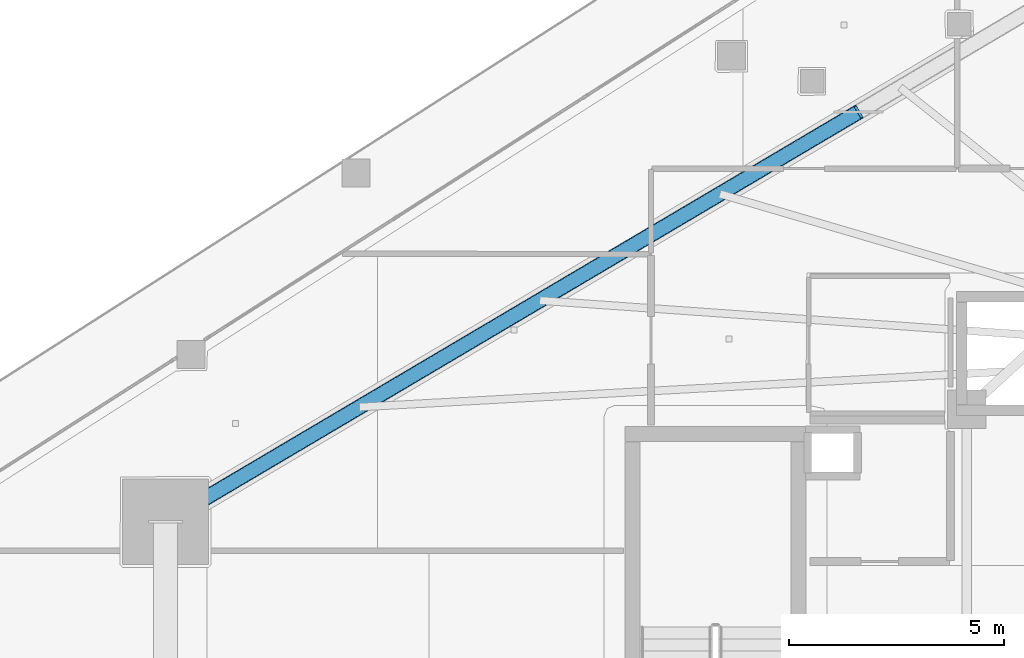
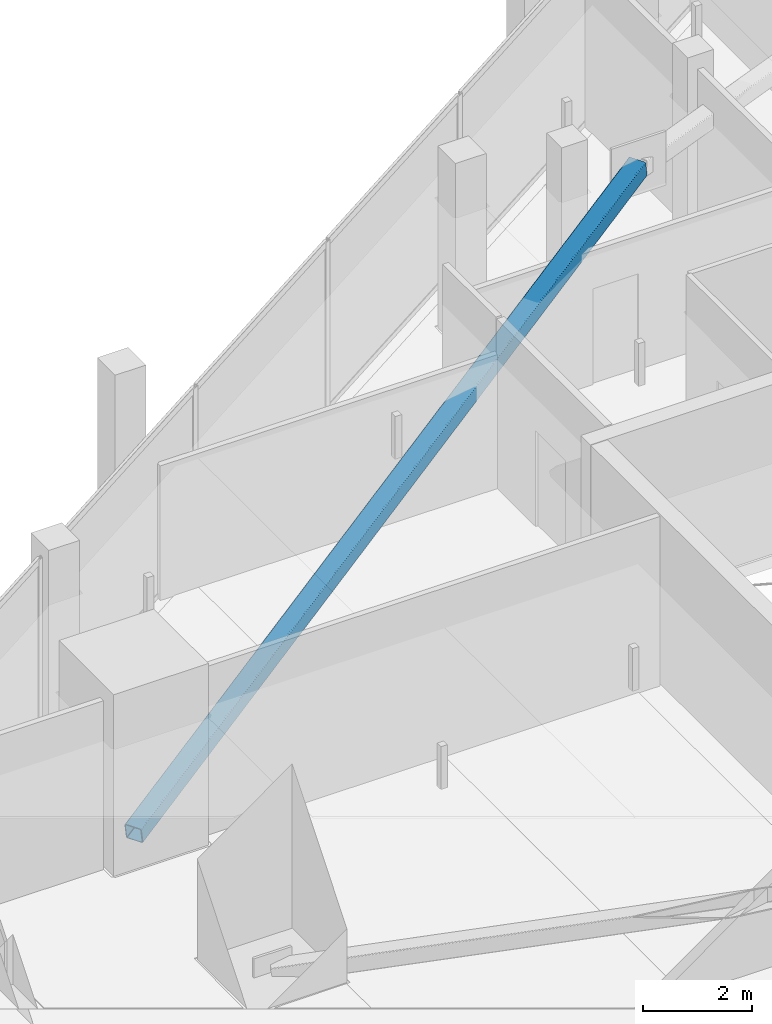
# One storey, part 17 of 43: 1 member.
"""IFC4 building model written with IfcOpenShell, lengths in metres."""

import ifcopenshell
import ifcopenshell.guid

model = None  # the IFC model being written
_history = None  # IfcOwnerHistory: only IFC2X3 demands one
_inside = {}  # id of a spatial element -> (the spatial element, [elements in it])
_under = {}  # id of a project, library or spatial element -> (it, [spatial elements below it])
_declared = {}  # id of a project -> (the project, [libraries it declares])
_typed = {}  # id of a type object -> (the type object, [elements of that type])
_made_of = {}  # id of a material, layer set ... -> (it, [elements and type objects made of it])


def new_model(schema):
    """Start an empty IFC model of exactly this schema.

    Asked for "IFC4X3", IfcOpenShell would pick the latest addendum, in which some entities
    have other attributes; the version numbers below select the first issue.
    IFC2X3 requires an IfcOwnerHistory on every rooted entity: one is made here for all.
    """
    global model, _history
    if schema == "IFC4X3":
        model = ifcopenshell.file(schema_version=(4, 3, 0, 0))
    else:
        model = ifcopenshell.file(schema=schema)
    _inside.clear()
    _under.clear()
    _declared.clear()
    _typed.clear()
    _made_of.clear()
    _history = None
    if model.schema == "IFC2X3":
        org = make("IfcOrganization", Name="unknown")
        user = make(
            "IfcPersonAndOrganization",
            ThePerson=make("IfcPerson", FamilyName="unknown"),
            TheOrganization=org,
        )
        app = make(
            "IfcApplication",
            ApplicationDeveloper=org,
            Version="unknown",
            ApplicationFullName="unknown",
            ApplicationIdentifier="unknown",
        )
        _history = make(
            "IfcOwnerHistory",
            OwningUser=user,
            OwningApplication=app,
            ChangeAction="ADDED",
            CreationDate=0,
        )
    return model


def make(cls, **values):
    """One entity of the class cls with the attributes given. An attribute that is None is left unset."""
    return model.create_entity(
        cls, **{name: value for name, value in values.items() if value is not None}
    )


def rooted(cls, **values):
    """An entity with a GlobalId (a new one), such as an element, a storey or a relation."""
    return make(cls, GlobalId=ifcopenshell.guid.new(), OwnerHistory=_history, **values)


def si_unit(unit_type, name, prefix=None):
    """IfcSIUnit, for example si_unit("LENGTHUNIT", "METRE", prefix="MILLI")."""
    return make("IfcSIUnit", UnitType=unit_type, Prefix=prefix, Name=name)


def assignment(units):
    """IfcUnitAssignment: the units of a project."""
    return None if units is None else make("IfcUnitAssignment", Units=units)


def point(xyz):
    """IfcCartesianPoint."""
    return None if xyz is None else make("IfcCartesianPoint", Coordinates=xyz)


def direction(xyz):
    """IfcDirection."""
    return None if xyz is None else make("IfcDirection", DirectionRatios=xyz)


def frame(location, z_axis=None, x_axis=None):
    """IfcAxis2Placement3D, a coordinate frame: its origin and axes. An axis left out is left unset."""
    return make(
        "IfcAxis2Placement3D",
        Location=point(location),
        Axis=direction(z_axis),
        RefDirection=direction(x_axis),
    )


def frame_2d(location, x_axis=None):
    """IfcAxis2Placement2D, a coordinate frame in the plane: its origin and x axis."""
    return make(
        "IfcAxis2Placement2D", Location=point(location), RefDirection=direction(x_axis)
    )


def origin():
    """The frame at (0, 0, 0) with its axes left unset."""
    return frame((0.0, 0.0, 0.0))


def origin_2d():
    """The frame at (0, 0) in the plane with its x axis left unset."""
    return frame_2d((0.0, 0.0))


def place(relative_to, where):
    """IfcLocalPlacement: puts the frame where relative to a parent placement (None: the world)."""
    return make(
        "IfcLocalPlacement", PlacementRelTo=relative_to, RelativePlacement=where
    )


def context(
    kind, dimensions, precision=None, world=None, true_north=None, identifier=None
):
    """IfcGeometricRepresentationContext, for example the 3D "Model" context."""
    return make(
        "IfcGeometricRepresentationContext",
        ContextIdentifier=identifier,
        ContextType=kind,
        CoordinateSpaceDimension=dimensions,
        Precision=precision,
        WorldCoordinateSystem=world,
        TrueNorth=true_north,
    )


def subcontext(parent, identifier, kind, view, scale=None):
    """IfcGeometricRepresentationSubContext, for example "Body" below "Model"."""
    return make(
        "IfcGeometricRepresentationSubContext",
        ContextIdentifier=identifier,
        ContextType=kind,
        ParentContext=parent,
        TargetScale=scale,
        TargetView=view,
    )


def project(units=None, contexts=None):
    """IfcProject with its units and contexts."""
    return rooted(
        "IfcProject",
        Name="project",
        RepresentationContexts=contexts,
        UnitsInContext=assignment(units),
    )


def spatial(cls, under=None, at=None, **own):
    """A site, building, storey or space (cls), placed at a placement, below another one or the project."""
    s = rooted(cls, ObjectPlacement=at, **own)
    if under is not None:
        _under.setdefault(under.id(), (under, []))[1].append(s)
    return s


def profile(cls, at=None, kind="AREA", **sizes):
    """A parametric profile (cls). Its sizes go by their IFC names, for example OverallWidth=200.0."""
    return make(cls, ProfileType=kind, Position=at, **sizes)


def hollow_rectangle(**sizes):
    """IfcRectangleHollowProfileDef."""
    return profile("IfcRectangleHollowProfileDef", **sizes)


def extrude(swept, where, along, depth):
    """IfcExtrudedAreaSolid: the profile swept, set in the frame where, extruded along a direction by depth."""
    return make(
        "IfcExtrudedAreaSolid",
        SweptArea=swept,
        Position=where,
        ExtrudedDirection=direction(along),
        Depth=depth,
    )


def shape(context_of_items, identifier, shape_type, items):
    """IfcShapeRepresentation: the items that make up one representation, for example the "Body"."""
    return make(
        "IfcShapeRepresentation",
        ContextOfItems=context_of_items,
        RepresentationIdentifier=identifier,
        RepresentationType=shape_type,
        Items=items,
    )


def material(Name=None, Category=None):
    """IfcMaterial."""
    return make("IfcMaterial", Name=Name, Category=Category)


def material_profile(
    of_material, cross_section, Name=None, Category=None, Priority=None
):
    """IfcMaterialProfile: a cross section and its material."""
    return make(
        "IfcMaterialProfile",
        Name=Name,
        Material=of_material,
        Profile=cross_section,
        Priority=Priority,
        Category=Category,
    )


def profile_set(profiles, Name=None, composite=None):
    """IfcMaterialProfileSet."""
    return make(
        "IfcMaterialProfileSet",
        Name=Name,
        MaterialProfiles=profiles,
        CompositeProfile=composite,
    )


def made_of(thing, what):
    """Note that an element or type object is made of a material, layer set ...; save() writes the relation."""
    if what is not None:
        _made_of.setdefault(what.id(), (what, []))[1].append(thing)
    return thing


def type_object(cls, material=None, **own):
    """A type object (cls), such as IfcWallType, which elements share."""
    return made_of(rooted(cls, **own), material)


def element(
    cls,
    number,
    at=None,
    inside=None,
    cuts=None,
    type_object=None,
    material=None,
    context=None,
    identifier="Body",
    shape_type=None,
    held_by="IfcProductDefinitionShape",
    body=None,
    shapes=None,
    **own,
):
    """One element of the class cls, such as IfcWall. Its Tag is "e" and its number.

    at: its placement. inside: the storey or other place that contains it. cuts: it is an
    opening in that element (IfcRelVoidsElement). A single representation is given by context,
    identifier, shape_type and body (its items); several are given by shapes. held_by: the class
    of the entity that holds the representations. save() writes the other relations.
    """
    e = rooted(cls, Tag="e%d" % number, ObjectPlacement=at, **own)
    if body is not None:
        shapes = [shape(context, identifier, shape_type, body)]
    if shapes is not None:
        e.Representation = make(held_by, Representations=shapes)
    if inside is not None:
        _inside.setdefault(inside.id(), (inside, []))[1].append(e)
    if cuts is not None:
        rooted(
            "IfcRelVoidsElement", RelatingBuildingElement=cuts, RelatedOpeningElement=e
        )
    if type_object is not None:
        _typed.setdefault(type_object.id(), (type_object, []))[1].append(e)
    return made_of(e, material)


def aggregate(whole, parts):
    """IfcRelAggregates: a whole, such as a stair, and the parts it consists of."""
    return rooted("IfcRelAggregates", RelatingObject=whole, RelatedObjects=parts)


def save(model, path):
    """Write the relations noted so far, then the file.

    IfcRelAggregates (storeys below a building ...), IfcRelContainedInSpatialStructure (elements
    in a storey), IfcRelDefinesByType, IfcRelAssociatesMaterial and IfcRelDeclares: one each for
    every whole, place, type object, material and project.
    """
    for whole, parts in _under.values():
        aggregate(whole, parts)
    for where, things in _inside.values():
        rooted(
            "IfcRelContainedInSpatialStructure",
            RelatedElements=things,
            RelatingStructure=where,
        )
    for kind, things in _typed.values():
        rooted("IfcRelDefinesByType", RelatedObjects=things, RelatingType=kind)
    for what, things in _made_of.values():
        rooted("IfcRelAssociatesMaterial", RelatedObjects=things, RelatingMaterial=what)
    for by, libraries in _declared.values():
        rooted("IfcRelDeclares", RelatingContext=by, RelatedDefinitions=libraries)
    model.write(path)


model = new_model("IFC4")

# Units and contexts
model_context = context("Model", 3, precision=1e-05, world=origin(), true_north=direction((0.0, 1.0)))
body_context = subcontext(model_context, "Body", "Model", "MODEL_VIEW")
ifc_project = project(units=[si_unit("LENGTHUNIT", "METRE"), si_unit("AREAUNIT", "SQUARE_METRE"), si_unit("VOLUMEUNIT", "CUBIC_METRE"), si_unit("PLANEANGLEUNIT", "RADIAN"), si_unit("MASSUNIT", "GRAM", prefix="KILO")], contexts=[model_context])

# Site, building, storey
site_placement = place(None, origin())
site = spatial("IfcSite", under=ifc_project, at=site_placement, CompositionType="ELEMENT")
building_placement = place(site_placement, origin())
building = spatial("IfcBuilding", under=site, at=building_placement, Name="Qorvath Tower", CompositionType="ELEMENT")
storey_placement = place(building_placement, frame((0.0, 0.0, 213.14990234375)))
storey = spatial("IfcBuildingStorey", under=building, at=storey_placement, Name="L49", CompositionType="ELEMENT", Elevation=213.14990234375)

# Member
ifc_material = material(Name="Steel ASTM A500 Grade C", Category="steel")
ifc_material_profile = material_profile(ifc_material, hollow_rectangle(XDim=0.355712890625, YDim=0.355712890625, WallThickness=0.015869140625, InnerFilletRadius=0.015869140625, OuterFilletRadius=0.03173828125, at=origin_2d()), Name="HSS 356x356x16")
ifc_profile_set = profile_set([ifc_material_profile], Name="Steel ASTM A500 Grade C")
member_type = type_object("IfcMemberType", Name="MEM-MB2", PredefinedType="BRACE", material=ifc_profile_set)
member_placement = place(storey_placement, frame((-49.171875, 2.52783203125, 0.0), z_axis=(0.846746895049, 0.500680334384, 0.179830193475), x_axis=(-0.508977860581, 0.860779610259, 0.0)))
element("IfcMember", 1, at=member_placement, inside=storey, type_object=member_type, Name="Perimeter Chevron Brace L49-1B", PredefinedType="BRACE", context=body_context, shape_type="SweptSolid", body=[
    extrude(hollow_rectangle(XDim=0.355712890625, YDim=0.355712890625, WallThickness=0.015869140625, InnerFilletRadius=0.015869140625, OuterFilletRadius=0.03173828125, at=origin_2d()), origin(), (0.0, 0.0, 1.0), 19.0732421875),
])

save(model, "model.ifc")
